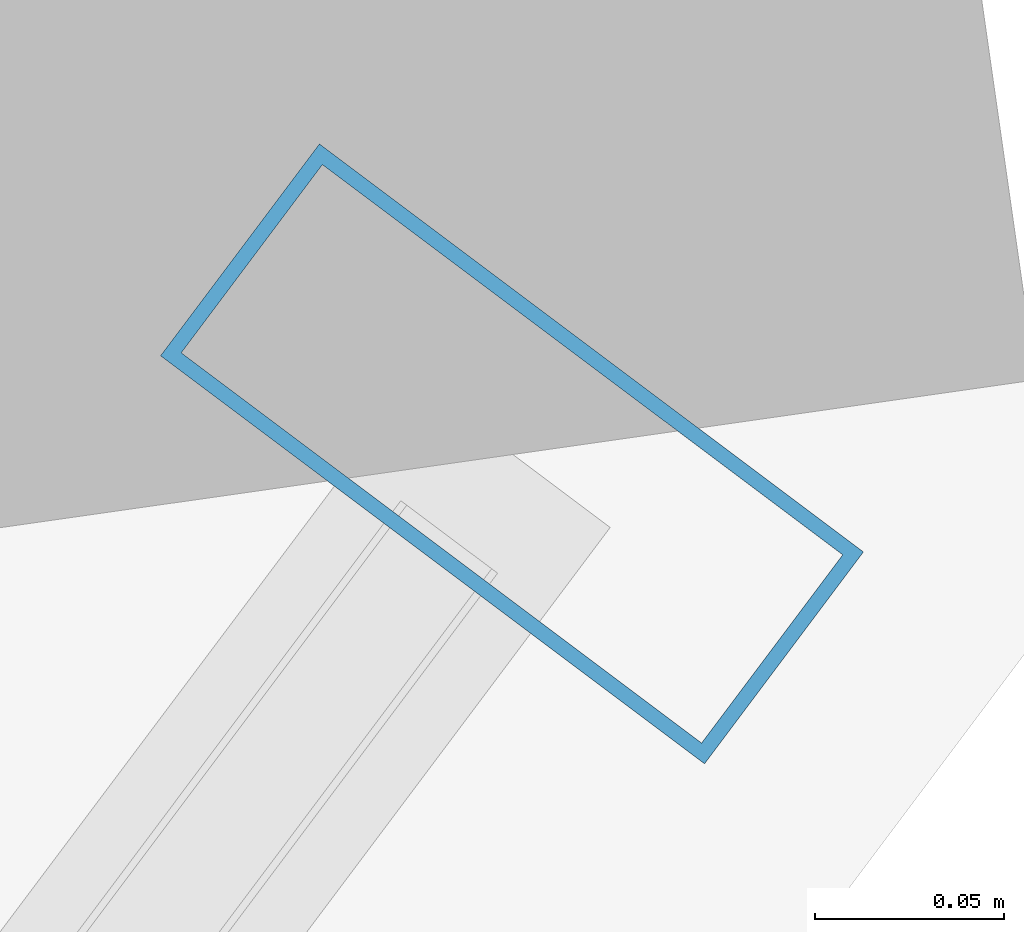
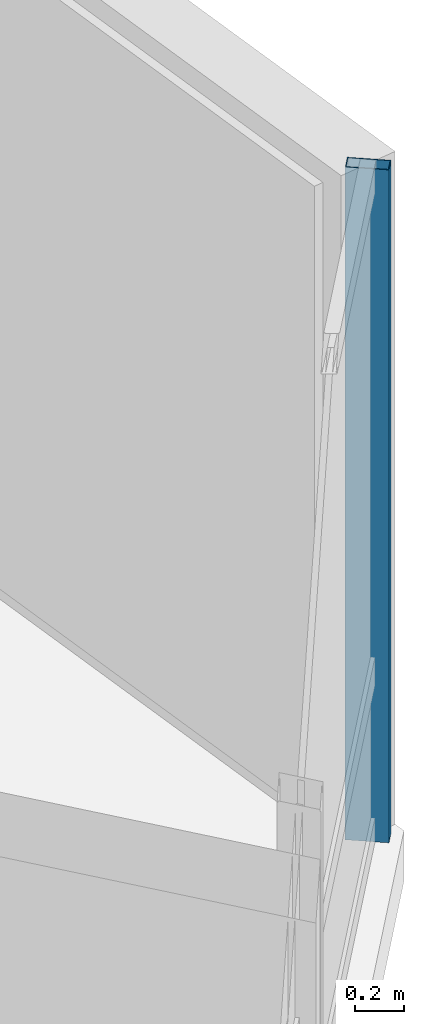
# One storey, part 12 of 31: 1 member, 1 element without a shape of its own.
"""IFC4 building model written with IfcOpenShell, lengths in metres."""

import ifcopenshell
import ifcopenshell.guid

model = None  # the IFC model being written
_history = None  # IfcOwnerHistory: only IFC2X3 demands one
_inside = {}  # id of a spatial element -> (the spatial element, [elements in it])
_under = {}  # id of a project, library or spatial element -> (it, [spatial elements below it])
_declared = {}  # id of a project -> (the project, [libraries it declares])
_typed = {}  # id of a type object -> (the type object, [elements of that type])
_made_of = {}  # id of a material, layer set ... -> (it, [elements and type objects made of it])


def new_model(schema):
    """Start an empty IFC model of exactly this schema.

    Asked for "IFC4X3", IfcOpenShell would pick the latest addendum, in which some entities
    have other attributes; the version numbers below select the first issue.
    IFC2X3 requires an IfcOwnerHistory on every rooted entity: one is made here for all.
    """
    global model, _history
    if schema == "IFC4X3":
        model = ifcopenshell.file(schema_version=(4, 3, 0, 0))
    else:
        model = ifcopenshell.file(schema=schema)
    _inside.clear()
    _under.clear()
    _declared.clear()
    _typed.clear()
    _made_of.clear()
    _history = None
    if model.schema == "IFC2X3":
        org = make("IfcOrganization", Name="unknown")
        user = make(
            "IfcPersonAndOrganization",
            ThePerson=make("IfcPerson", FamilyName="unknown"),
            TheOrganization=org,
        )
        app = make(
            "IfcApplication",
            ApplicationDeveloper=org,
            Version="unknown",
            ApplicationFullName="unknown",
            ApplicationIdentifier="unknown",
        )
        _history = make(
            "IfcOwnerHistory",
            OwningUser=user,
            OwningApplication=app,
            ChangeAction="ADDED",
            CreationDate=0,
        )
    return model


def make(cls, **values):
    """One entity of the class cls with the attributes given. An attribute that is None is left unset."""
    return model.create_entity(
        cls, **{name: value for name, value in values.items() if value is not None}
    )


def rooted(cls, **values):
    """An entity with a GlobalId (a new one), such as an element, a storey or a relation."""
    return make(cls, GlobalId=ifcopenshell.guid.new(), OwnerHistory=_history, **values)


def si_unit(unit_type, name, prefix=None):
    """IfcSIUnit, for example si_unit("LENGTHUNIT", "METRE", prefix="MILLI")."""
    return make("IfcSIUnit", UnitType=unit_type, Prefix=prefix, Name=name)


def assignment(units):
    """IfcUnitAssignment: the units of a project."""
    return None if units is None else make("IfcUnitAssignment", Units=units)


def point(xyz):
    """IfcCartesianPoint."""
    return None if xyz is None else make("IfcCartesianPoint", Coordinates=xyz)


def direction(xyz):
    """IfcDirection."""
    return None if xyz is None else make("IfcDirection", DirectionRatios=xyz)


def frame(location, z_axis=None, x_axis=None):
    """IfcAxis2Placement3D, a coordinate frame: its origin and axes. An axis left out is left unset."""
    return make(
        "IfcAxis2Placement3D",
        Location=point(location),
        Axis=direction(z_axis),
        RefDirection=direction(x_axis),
    )


def frame_2d(location, x_axis=None):
    """IfcAxis2Placement2D, a coordinate frame in the plane: its origin and x axis."""
    return make(
        "IfcAxis2Placement2D", Location=point(location), RefDirection=direction(x_axis)
    )


def origin():
    """The frame at (0, 0, 0) with its axes left unset."""
    return frame((0.0, 0.0, 0.0))


def origin_2d():
    """The frame at (0, 0) in the plane with its x axis left unset."""
    return frame_2d((0.0, 0.0))


def place(relative_to, where):
    """IfcLocalPlacement: puts the frame where relative to a parent placement (None: the world)."""
    return make(
        "IfcLocalPlacement", PlacementRelTo=relative_to, RelativePlacement=where
    )


def context(
    kind, dimensions, precision=None, world=None, true_north=None, identifier=None
):
    """IfcGeometricRepresentationContext, for example the 3D "Model" context."""
    return make(
        "IfcGeometricRepresentationContext",
        ContextIdentifier=identifier,
        ContextType=kind,
        CoordinateSpaceDimension=dimensions,
        Precision=precision,
        WorldCoordinateSystem=world,
        TrueNorth=true_north,
    )


def subcontext(parent, identifier, kind, view, scale=None):
    """IfcGeometricRepresentationSubContext, for example "Body" below "Model"."""
    return make(
        "IfcGeometricRepresentationSubContext",
        ContextIdentifier=identifier,
        ContextType=kind,
        ParentContext=parent,
        TargetScale=scale,
        TargetView=view,
    )


def project(units=None, contexts=None):
    """IfcProject with its units and contexts."""
    return rooted(
        "IfcProject",
        Name="project",
        RepresentationContexts=contexts,
        UnitsInContext=assignment(units),
    )


def spatial(cls, under=None, at=None, **own):
    """A site, building, storey or space (cls), placed at a placement, below another one or the project."""
    s = rooted(cls, ObjectPlacement=at, **own)
    if under is not None:
        _under.setdefault(under.id(), (under, []))[1].append(s)
    return s


def profile(cls, at=None, kind="AREA", **sizes):
    """A parametric profile (cls). Its sizes go by their IFC names, for example OverallWidth=200.0."""
    return make(cls, ProfileType=kind, Position=at, **sizes)


def hollow_rectangle(**sizes):
    """IfcRectangleHollowProfileDef."""
    return profile("IfcRectangleHollowProfileDef", **sizes)


def extrude(swept, where, along, depth):
    """IfcExtrudedAreaSolid: the profile swept, set in the frame where, extruded along a direction by depth."""
    return make(
        "IfcExtrudedAreaSolid",
        SweptArea=swept,
        Position=where,
        ExtrudedDirection=direction(along),
        Depth=depth,
    )


def shape(context_of_items, identifier, shape_type, items):
    """IfcShapeRepresentation: the items that make up one representation, for example the "Body"."""
    return make(
        "IfcShapeRepresentation",
        ContextOfItems=context_of_items,
        RepresentationIdentifier=identifier,
        RepresentationType=shape_type,
        Items=items,
    )


def material(Name=None, Category=None):
    """IfcMaterial."""
    return make("IfcMaterial", Name=Name, Category=Category)


def layer(
    of_material, thickness, ventilated=None, Name=None, Category=None, Priority=None
):
    """IfcMaterialLayer: one layer of a wall or slab, of a material (None: an air gap)."""
    return make(
        "IfcMaterialLayer",
        Material=of_material,
        LayerThickness=thickness,
        IsVentilated=ventilated,
        Name=Name,
        Category=Category,
        Priority=Priority,
    )


def layer_set(layers, Name=None):
    """IfcMaterialLayerSet."""
    return make("IfcMaterialLayerSet", MaterialLayers=layers, LayerSetName=Name)


def material_profile(
    of_material, cross_section, Name=None, Category=None, Priority=None
):
    """IfcMaterialProfile: a cross section and its material."""
    return make(
        "IfcMaterialProfile",
        Name=Name,
        Material=of_material,
        Profile=cross_section,
        Priority=Priority,
        Category=Category,
    )


def profile_set(profiles, Name=None, composite=None):
    """IfcMaterialProfileSet."""
    return make(
        "IfcMaterialProfileSet",
        Name=Name,
        MaterialProfiles=profiles,
        CompositeProfile=composite,
    )


def made_of(thing, what):
    """Note that an element or type object is made of a material, layer set ...; save() writes the relation."""
    if what is not None:
        _made_of.setdefault(what.id(), (what, []))[1].append(thing)
    return thing


def type_object(cls, material=None, **own):
    """A type object (cls), such as IfcWallType, which elements share."""
    return made_of(rooted(cls, **own), material)


def element(
    cls,
    number,
    at=None,
    inside=None,
    cuts=None,
    type_object=None,
    material=None,
    context=None,
    identifier="Body",
    shape_type=None,
    held_by="IfcProductDefinitionShape",
    body=None,
    shapes=None,
    **own,
):
    """One element of the class cls, such as IfcWall. Its Tag is "e" and its number.

    at: its placement. inside: the storey or other place that contains it. cuts: it is an
    opening in that element (IfcRelVoidsElement). A single representation is given by context,
    identifier, shape_type and body (its items); several are given by shapes. held_by: the class
    of the entity that holds the representations. save() writes the other relations.
    """
    e = rooted(cls, Tag="e%d" % number, ObjectPlacement=at, **own)
    if body is not None:
        shapes = [shape(context, identifier, shape_type, body)]
    if shapes is not None:
        e.Representation = make(held_by, Representations=shapes)
    if inside is not None:
        _inside.setdefault(inside.id(), (inside, []))[1].append(e)
    if cuts is not None:
        rooted(
            "IfcRelVoidsElement", RelatingBuildingElement=cuts, RelatedOpeningElement=e
        )
    if type_object is not None:
        _typed.setdefault(type_object.id(), (type_object, []))[1].append(e)
    return made_of(e, material)


def aggregate(whole, parts):
    """IfcRelAggregates: a whole, such as a stair, and the parts it consists of."""
    return rooted("IfcRelAggregates", RelatingObject=whole, RelatedObjects=parts)


def save(model, path):
    """Write the relations noted so far, then the file.

    IfcRelAggregates (storeys below a building ...), IfcRelContainedInSpatialStructure (elements
    in a storey), IfcRelDefinesByType, IfcRelAssociatesMaterial and IfcRelDeclares: one each for
    every whole, place, type object, material and project.
    """
    for whole, parts in _under.values():
        aggregate(whole, parts)
    for where, things in _inside.values():
        rooted(
            "IfcRelContainedInSpatialStructure",
            RelatedElements=things,
            RelatingStructure=where,
        )
    for kind, things in _typed.values():
        rooted("IfcRelDefinesByType", RelatedObjects=things, RelatingType=kind)
    for what, things in _made_of.values():
        rooted("IfcRelAssociatesMaterial", RelatedObjects=things, RelatingMaterial=what)
    for by, libraries in _declared.values():
        rooted("IfcRelDeclares", RelatingContext=by, RelatedDefinitions=libraries)
    model.write(path)


model = new_model("IFC4")

# Units and contexts
model_context = context("Model", 3, precision=1e-05, world=origin(), true_north=direction((0.0, 1.0)))
body_context = subcontext(model_context, "Body", "Model", "MODEL_VIEW")
ifc_project = project(units=[si_unit("LENGTHUNIT", "METRE"), si_unit("AREAUNIT", "SQUARE_METRE"), si_unit("VOLUMEUNIT", "CUBIC_METRE"), si_unit("PLANEANGLEUNIT", "RADIAN"), si_unit("MASSUNIT", "GRAM", prefix="KILO")], contexts=[model_context])

# Site, building, storey
site_placement = place(None, origin())
site = spatial("IfcSite", under=ifc_project, at=site_placement, CompositionType="ELEMENT")
building_placement = place(site_placement, origin())
building = spatial("IfcBuilding", under=site, at=building_placement, Name="Hatsunagi Terrace Concourse", CompositionType="ELEMENT")
storey_placement = place(building_placement, frame((0.0, 0.0, 112.050048828125)))
storey = spatial("IfcBuildingStorey", under=building, at=storey_placement, Name="L29", CompositionType="ELEMENT", Elevation=112.050048828125)

# Curtain wall, member
ifc_material_1 = material(Name="Anodised Aluminium Alloy 6063-T5", Category="aluminium")
ifc_layer = layer(ifc_material_1, 0.199951171875)
ifc_layer_set = layer_set([ifc_layer], Name="OfficeZone1_CW03")
curtain_wall_type = type_object("IfcCurtainWallType", Name="OfficeZone1_CW03", PredefinedType="NOTDEFINED", material=ifc_layer_set)
curtain_wall_placement = place(storey_placement, origin())
curtain_wall = element("IfcCurtainWall", 1, at=curtain_wall_placement, inside=storey, type_object=curtain_wall_type, Name="Unitised Curtain Wall CW-03 CW-L29-03", PredefinedType="NOTDEFINED")
ifc_material_2 = material(Name="Anodised Aluminium Alloy 6063-T5", Category="aluminium")
ifc_material_profile = material_profile(ifc_material_2, hollow_rectangle(XDim=0.070068359375, YDim=0.179931640625, WallThickness=0.00390625, at=origin_2d()), Name="ALU-MUL-180x70x4")
ifc_profile_set = profile_set([ifc_material_profile], Name="Anodised Aluminium Alloy 6063-T5")
member_type = type_object("IfcMemberType", Name="CurtainWallMullion_180x70", PredefinedType="MULLION", material=ifc_profile_set)
member_placement = place(storey_placement, frame((69.093017578125, 19.657958984375, 0.0), z_axis=(0.0, 0.0, 1.0), x_axis=(-0.599969314634, -0.800023013105, 0.0)))
member = element("IfcMember", 2, at=member_placement, type_object=member_type, Name="Curtain Wall Mullion MUL-02", PredefinedType="MULLION", context=body_context, shape_type="SweptSolid", body=[
    extrude(hollow_rectangle(XDim=0.070068359375, YDim=0.179931640625, WallThickness=0.00390625, at=origin_2d()), origin(), (0.0, 0.0, 1.0), 3.349853515625),
])
aggregate(curtain_wall, [member])

save(model, "model.ifc")
